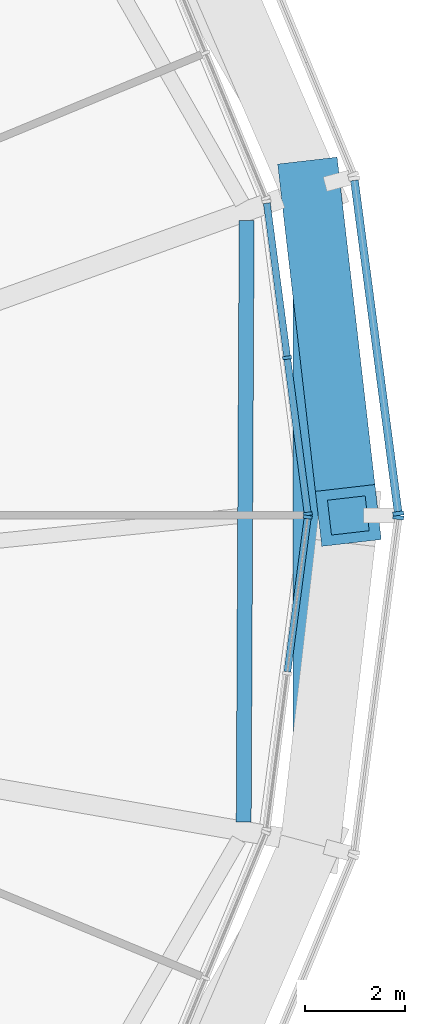
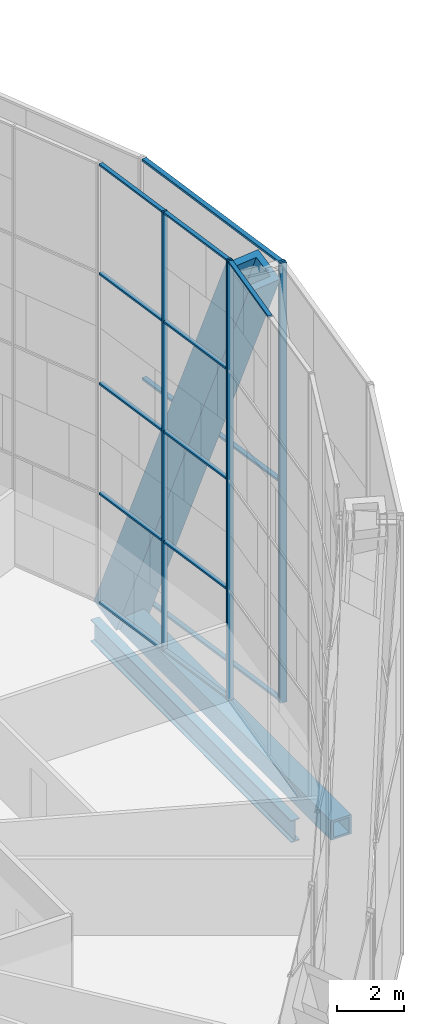
# One storey, part 7 of 28: 20 members, 2 beams, 4 elements without a shape of their own.
"""IFC4 building model written with IfcOpenShell, lengths in metres."""

from ifc_helpers import new_model, si_unit, direction, frame, origin, origin_2d, place, context, subcontext, project, spatial, rectangle, hollow_rectangle, i_section, extrude, material, material_profile, profile_set, type_object, element, aggregate, save


model = new_model("IFC4")

# Units and contexts
model_context = context("Model", 3, precision=1e-05, world=origin(), true_north=direction((0.0, 1.0)))
body_context = subcontext(model_context, "Body", "Model", "MODEL_VIEW")
ifc_project = project(units=[si_unit("LENGTHUNIT", "METRE"), si_unit("AREAUNIT", "SQUARE_METRE"), si_unit("VOLUMEUNIT", "CUBIC_METRE"), si_unit("PLANEANGLEUNIT", "RADIAN"), si_unit("MASSUNIT", "GRAM", prefix="KILO")], contexts=[model_context])

# Site, building, storey
site_placement = place(None, origin())
site = spatial("IfcSite", under=ifc_project, at=site_placement, CompositionType="ELEMENT")
building_placement = place(site_placement, origin())
building = spatial("IfcBuilding", under=site, at=building_placement, Name="Golbaran Civic Tower", CompositionType="ELEMENT")
storey_placement = place(building_placement, frame((0.0, 0.0, 134.0)))
storey = spatial("IfcBuildingStorey", under=building, at=storey_placement, Name="L32", CompositionType="ELEMENT", Elevation=134.0)

# Member
ifc_material_1 = material(Name="Steel S355", Category="steel")
ifc_material_profile_1 = material_profile(ifc_material_1, hollow_rectangle(XDim=1.199951171875, YDim=1.199951171875, WallThickness=0.219970703125, at=origin_2d()), Name="BOX 1200x1200x220")
ifc_profile_set_1 = profile_set([ifc_material_profile_1], Name="Steel S355")
member_type_1 = type_object("IfcMemberType", Name="DIAGRID DIAGONAL BOX 1200x1200x220", PredefinedType="BRACE", material=ifc_profile_set_1)
member_1_placement = place(storey_placement, frame((24.4765625, 6.55859375, -0.7099609375), z_axis=(0.043754138493, -0.37892043084, 0.92439433277), x_axis=(0.993399215237, 0.114708322129, 0.0)))
element("IfcMember", 1, at=member_1_placement, inside=storey, type_object=member_type_1, Name="Diagonal D07-00L L32-L36", PredefinedType="BRACE", context=body_context, shape_type="SweptSolid", body=[
    extrude(hollow_rectangle(XDim=1.199951171875, YDim=1.199951171875, WallThickness=0.219970703125, at=origin_2d()), origin(), (0.0, 0.0, 1.0), 17.30859375),
])

# Beams
ifc_material_profile_2 = material_profile(ifc_material_1, hollow_rectangle(XDim=0.699951171875, YDim=0.699951171875, WallThickness=0.080078125, at=origin_2d()), Name="BOX 700x700x80")
ifc_profile_set_2 = profile_set([ifc_material_profile_2], Name="Steel S355")
beam_type_1 = type_object("IfcBeamType", Name="DIAGRID RING TIE BOX 700x700x80", PredefinedType="BEAM", material=ifc_profile_set_2)
beam_1_placement = place(storey_placement, frame((24.4765625, -6.55859375, -0.7099609375), z_axis=(0.0, 1.0, 0.0), x_axis=(-1.0, 0.0, 0.0)))
element("IfcBeam", 2, at=beam_1_placement, inside=storey, type_object=beam_type_1, Name="Ring tie 345.00 L32", PredefinedType="BEAM", context=body_context, shape_type="SweptSolid", body=[
    extrude(hollow_rectangle(XDim=0.699951171875, YDim=0.699951171875, WallThickness=0.080078125, at=origin_2d()), origin(), (0.0, 0.0, 1.0), 13.1171875),
])
ifc_material_profile_3 = material_profile(ifc_material_1, i_section(OverallWidth=0.300048828125, OverallDepth=0.800048828125, WebThickness=0.017578125, FlangeThickness=0.032958984375, FilletRadius=0.030029296875, at=origin_2d()), Name="HEB 800")
ifc_profile_set_3 = profile_set([ifc_material_profile_3], Name="Steel S355")
beam_type_2 = type_object("IfcBeamType", Name="EDGE BEAM HEB 800", PredefinedType="BEAM", material=ifc_profile_set_3)
beam_2_placement = place(storey_placement, frame((23.1376953125, -6.143798828125, -0.60009765625), z_axis=(0.00490279567, 0.999987981225, 0.0), x_axis=(-0.999987981225, 0.00490279567, 0.0)))
element("IfcBeam", 3, at=beam_2_placement, inside=storey, type_object=beam_type_2, Name="Edge beam 345.00 L32", PredefinedType="BEAM", context=body_context, shape_type="SweptSolid", body=[
    extrude(i_section(OverallWidth=0.300048828125, OverallDepth=0.800048828125, WebThickness=0.017578125, FlangeThickness=0.032958984375, FilletRadius=0.030029296875, at=origin_2d()), origin(), (0.0, 0.0, 1.0), 12.05078125),
])

# Curtain wall, members
ifc_material_2 = material(Name="Aluminium and glass", Category="aluminium")
curtain_wall_type_1 = type_object("IfcCurtainWallType", Name="INNER SKIN CURTAIN WALL", PredefinedType="NOTDEFINED", material=ifc_material_2)
curtain_wall_1_placement = place(storey_placement, origin())
curtain_wall_1 = element("IfcCurtainWall", 4, at=curtain_wall_1_placement, inside=storey, type_object=curtain_wall_type_1, Name="Inner skin L32 facet 1 CW1", ObjectType="INNER SKIN", PredefinedType="USERDEFINED")
ifc_material_3 = material(Name="Aluminium", Category="aluminium")
ifc_material_profile_4 = material_profile(ifc_material_3, rectangle(XDim=0.179931640625, YDim=0.06494140625, at=origin_2d()), Name="INNER SKIN CURTAIN WALL MULLION")
ifc_profile_set_4 = profile_set([ifc_material_profile_4], Name="Aluminium")
member_type_2 = type_object("IfcMemberType", Name="INNER SKIN CURTAIN WALL MULLION", PredefinedType="MULLION", material=ifc_profile_set_4)
member_2_placement = place(storey_placement, frame((24.420654296875, 0.0322265625, 0.0), z_axis=(0.0, 0.0, 1.0), x_axis=(-0.991444861372, -0.130526192237, 0.0)))
member_2 = element("IfcMember", 5, at=member_2_placement, type_object=member_type_2, Name="CW1 mullion 1", PredefinedType="MULLION", context=body_context, shape_type="SweptSolid", body=[
    extrude(rectangle(XDim=0.179931640625, YDim=0.06494140625, at=origin_2d()), origin(), (0.0, 0.0, 1.0), 16.0),
])
member_3_placement = place(storey_placement, frame((24.0087890625, 3.160888671875, 0.0), z_axis=(0.0, 0.0, 1.0), x_axis=(-0.991444861372, -0.130526192237, 0.0)))
member_3 = element("IfcMember", 6, at=member_3_placement, type_object=member_type_2, Name="CW1 mullion 2", PredefinedType="MULLION", context=body_context, shape_type="SweptSolid", body=[
    extrude(rectangle(XDim=0.179931640625, YDim=0.06494140625, at=origin_2d()), origin(), (0.0, 0.0, 1.0), 16.0),
])

# Curtain wall, member
curtain_wall_2_placement = place(storey_placement, origin())
curtain_wall_2 = element("IfcCurtainWall", 7, at=curtain_wall_2_placement, inside=storey, type_object=curtain_wall_type_1, Name="Inner skin L32 facet 24 CW1", ObjectType="INNER SKIN", PredefinedType="USERDEFINED")
member_4_placement = place(storey_placement, frame((24.420654296875, -0.0322265625, 0.0), z_axis=(0.0, 0.0, 1.0), x_axis=(-0.991444861372, 0.130526192237, 0.0)))
member_4 = element("IfcMember", 8, at=member_4_placement, type_object=member_type_2, Name="CW1 mullion 3", PredefinedType="MULLION", context=body_context, shape_type="SweptSolid", body=[
    extrude(rectangle(XDim=0.179931640625, YDim=0.06494140625, at=origin_2d()), origin(), (0.0, 0.0, 1.0), 16.0),
])

# Member
ifc_material_profile_5 = material_profile(ifc_material_3, rectangle(XDim=0.139892578125, YDim=0.06494140625, at=origin_2d()), Name="INNER SKIN CURTAIN WALL TRANSOM")
ifc_profile_set_5 = profile_set([ifc_material_profile_5], Name="Aluminium")
member_type_3 = type_object("IfcMemberType", Name="INNER SKIN CURTAIN WALL TRANSOM", PredefinedType="USERDEFINED", material=ifc_profile_set_5)
member_5_placement = place(storey_placement, frame((24.41650390625, 0.064453125, 0.032470703125), z_axis=(-0.13049742388, 0.991448648373, 0.0), x_axis=(-0.991448648373, -0.13049742388, 0.0)))
member_5 = element("IfcMember", 9, at=member_5_placement, type_object=member_type_3, Name="CW1 transom 1.1", ObjectType="TRANSOM", PredefinedType="USERDEFINED", context=body_context, shape_type="SweptSolid", body=[
    extrude(rectangle(XDim=0.139892578125, YDim=0.06494140625, at=origin_2d()), origin(), (0.0, 0.0, 1.0), 3.090576171875),
])

member_6_placement = place(storey_placement, frame((24.41650390625, 0.064453125, 4.0), z_axis=(-0.13049742388, 0.991448648373, 0.0), x_axis=(-0.991448648373, -0.13049742388, 0.0)))
member_6 = element("IfcMember", 10, at=member_6_placement, type_object=member_type_3, Name="CW1 transom 1.2", ObjectType="TRANSOM", PredefinedType="USERDEFINED", context=body_context, shape_type="SweptSolid", body=[
    extrude(rectangle(XDim=0.139892578125, YDim=0.06494140625, at=origin_2d()), origin(), (0.0, 0.0, 1.0), 3.090576171875),
])

member_7_placement = place(storey_placement, frame((24.41650390625, 0.064453125, 8.0), z_axis=(-0.13049742388, 0.991448648373, 0.0), x_axis=(-0.991448648373, -0.13049742388, 0.0)))
member_7 = element("IfcMember", 11, at=member_7_placement, type_object=member_type_3, Name="CW1 transom 1.3", ObjectType="TRANSOM", PredefinedType="USERDEFINED", context=body_context, shape_type="SweptSolid", body=[
    extrude(rectangle(XDim=0.139892578125, YDim=0.06494140625, at=origin_2d()), origin(), (0.0, 0.0, 1.0), 3.090576171875),
])

member_8_placement = place(storey_placement, frame((24.41650390625, 0.064453125, 12.0), z_axis=(-0.13049742388, 0.991448648373, 0.0), x_axis=(-0.991448648373, -0.13049742388, 0.0)))
member_8 = element("IfcMember", 12, at=member_8_placement, type_object=member_type_3, Name="CW1 transom 1.4", ObjectType="TRANSOM", PredefinedType="USERDEFINED", context=body_context, shape_type="SweptSolid", body=[
    extrude(rectangle(XDim=0.139892578125, YDim=0.06494140625, at=origin_2d()), origin(), (0.0, 0.0, 1.0), 3.090576171875),
])

member_9_placement = place(storey_placement, frame((24.41650390625, 0.064453125, 15.967529296875), z_axis=(-0.13049742388, 0.991448648373, 0.0), x_axis=(-0.991448648373, -0.13049742388, 0.0)))
member_9 = element("IfcMember", 13, at=member_9_placement, type_object=member_type_3, Name="CW1 transom 1.5", ObjectType="TRANSOM", PredefinedType="USERDEFINED", context=body_context, shape_type="SweptSolid", body=[
    extrude(rectangle(XDim=0.139892578125, YDim=0.06494140625, at=origin_2d()), origin(), (0.0, 0.0, 1.0), 3.090576171875),
])

member_10_placement = place(storey_placement, frame((24.004638671875, 3.193115234375, 0.032470703125), z_axis=(-0.13049742388, 0.991448648373, 0.0), x_axis=(-0.991448648373, -0.13049742388, 0.0)))
member_10 = element("IfcMember", 14, at=member_10_placement, type_object=member_type_3, Name="CW1 transom 2.1", ObjectType="TRANSOM", PredefinedType="USERDEFINED", context=body_context, shape_type="SweptSolid", body=[
    extrude(rectangle(XDim=0.139892578125, YDim=0.06494140625, at=origin_2d()), origin(), (0.0, 0.0, 1.0), 3.090576171875),
])

member_11_placement = place(storey_placement, frame((24.004638671875, 3.193115234375, 4.0), z_axis=(-0.13049742388, 0.991448648373, 0.0), x_axis=(-0.991448648373, -0.13049742388, 0.0)))
member_11 = element("IfcMember", 15, at=member_11_placement, type_object=member_type_3, Name="CW1 transom 2.2", ObjectType="TRANSOM", PredefinedType="USERDEFINED", context=body_context, shape_type="SweptSolid", body=[
    extrude(rectangle(XDim=0.139892578125, YDim=0.06494140625, at=origin_2d()), origin(), (0.0, 0.0, 1.0), 3.090576171875),
])

member_12_placement = place(storey_placement, frame((24.004638671875, 3.193115234375, 8.0), z_axis=(-0.13049742388, 0.991448648373, 0.0), x_axis=(-0.991448648373, -0.13049742388, 0.0)))
member_12 = element("IfcMember", 16, at=member_12_placement, type_object=member_type_3, Name="CW1 transom 2.3", ObjectType="TRANSOM", PredefinedType="USERDEFINED", context=body_context, shape_type="SweptSolid", body=[
    extrude(rectangle(XDim=0.139892578125, YDim=0.06494140625, at=origin_2d()), origin(), (0.0, 0.0, 1.0), 3.090576171875),
])

member_13_placement = place(storey_placement, frame((24.004638671875, 3.193115234375, 12.0), z_axis=(-0.13049742388, 0.991448648373, 0.0), x_axis=(-0.991448648373, -0.13049742388, 0.0)))
member_13 = element("IfcMember", 17, at=member_13_placement, type_object=member_type_3, Name="CW1 transom 2.4", ObjectType="TRANSOM", PredefinedType="USERDEFINED", context=body_context, shape_type="SweptSolid", body=[
    extrude(rectangle(XDim=0.139892578125, YDim=0.06494140625, at=origin_2d()), origin(), (0.0, 0.0, 1.0), 3.090576171875),
])

member_14_placement = place(storey_placement, frame((24.004638671875, 3.193115234375, 15.967529296875), z_axis=(-0.13049742388, 0.991448648373, 0.0), x_axis=(-0.991448648373, -0.13049742388, 0.0)))
member_14 = element("IfcMember", 18, at=member_14_placement, type_object=member_type_3, Name="CW1 transom 2.5", ObjectType="TRANSOM", PredefinedType="USERDEFINED", context=body_context, shape_type="SweptSolid", body=[
    extrude(rectangle(XDim=0.139892578125, YDim=0.06494140625, at=origin_2d()), origin(), (0.0, 0.0, 1.0), 3.090576171875),
])

aggregate(curtain_wall_1, [member_2, member_3, member_5, member_6, member_7, member_8, member_9, member_10, member_11, member_12, member_13, member_14])

member_15_placement = place(storey_placement, frame((24.01318359375, -3.128662109375, 15.967529296875), z_axis=(0.13049742388, 0.991448648373, 0.0), x_axis=(-0.991448648373, 0.13049742388, 0.0)))
member_15 = element("IfcMember", 19, at=member_15_placement, type_object=member_type_3, Name="CW1 transom 2.5", ObjectType="TRANSOM", PredefinedType="USERDEFINED", context=body_context, shape_type="SweptSolid", body=[
    extrude(rectangle(XDim=0.139892578125, YDim=0.06494140625, at=origin_2d()), origin(), (0.0, 0.0, 1.0), 3.090576171875),
])

aggregate(curtain_wall_2, [member_4, member_15])

# Curtain wall, member
curtain_wall_type_2 = type_object("IfcCurtainWallType", Name="OUTER SKIN TERRACOTTA SCREEN", PredefinedType="NOTDEFINED", material=ifc_material_2)
curtain_wall_3_placement = place(storey_placement, origin())
curtain_wall_3 = element("IfcCurtainWall", 20, at=curtain_wall_3_placement, inside=storey, type_object=curtain_wall_type_2, Name="Outer skin L32 facet 1 CW3", ObjectType="OUTER SKIN", PredefinedType="USERDEFINED")
ifc_material_profile_6 = material_profile(ifc_material_3, rectangle(XDim=0.219970703125, YDim=0.080078125, at=origin_2d()), Name="OUTER SKIN TERRACOTTA SCREEN MULLION")
ifc_profile_set_6 = profile_set([ifc_material_profile_6], Name="Aluminium")
member_type_4 = type_object("IfcMemberType", Name="OUTER SKIN TERRACOTTA SCREEN MULLION", PredefinedType="MULLION", material=ifc_profile_set_6)
member_16_placement = place(storey_placement, frame((26.23486328125, 0.03955078125, -0.7099609375), z_axis=(0.0, 0.0, 1.0), x_axis=(-0.991444861376, -0.130526192203, 0.0)))
member_16 = element("IfcMember", 21, at=member_16_placement, type_object=member_type_4, Name="CW3 mullion 1", PredefinedType="MULLION", context=body_context, shape_type="SweptSolid", body=[
    extrude(rectangle(XDim=0.219970703125, YDim=0.080078125, at=origin_2d()), origin(), (0.0, 0.0, 1.0), 16.0),
])

curtain_wall_4_placement = place(storey_placement, origin())
curtain_wall_4 = element("IfcCurtainWall", 22, at=curtain_wall_4_placement, inside=storey, type_object=curtain_wall_type_2, Name="Outer skin L32 facet 24 CW3", ObjectType="OUTER SKIN", PredefinedType="USERDEFINED")
member_17_placement = place(storey_placement, frame((26.23486328125, -0.03955078125, -0.7099609375), z_axis=(0.0, 0.0, 1.0), x_axis=(-0.991444861376, 0.130526192203, 0.0)))
member_17 = element("IfcMember", 23, at=member_17_placement, type_object=member_type_4, Name="CW3 mullion 2", PredefinedType="MULLION", context=body_context, shape_type="SweptSolid", body=[
    extrude(rectangle(XDim=0.219970703125, YDim=0.080078125, at=origin_2d()), origin(), (0.0, 0.0, 1.0), 16.0),
])
aggregate(curtain_wall_4, [member_17])

# Member
ifc_material_profile_7 = material_profile(ifc_material_3, rectangle(XDim=0.159912109375, YDim=0.080078125, at=origin_2d()), Name="OUTER SKIN TERRACOTTA SCREEN TRANSOM")
ifc_profile_set_7 = profile_set([ifc_material_profile_7], Name="Aluminium")
member_type_5 = type_object("IfcMemberType", Name="OUTER SKIN TERRACOTTA SCREEN TRANSOM", PredefinedType="USERDEFINED", material=ifc_profile_set_7)
member_18_placement = place(storey_placement, frame((26.2294921875, 0.079345703125, -0.669921875), z_axis=(-0.130499824667, 0.991448332371, 0.0), x_axis=(-0.991448332371, -0.130499824667, 0.0)))
member_18 = element("IfcMember", 24, at=member_18_placement, type_object=member_type_5, Name="CW3 transom 1.1", ObjectType="TRANSOM", PredefinedType="USERDEFINED", context=body_context, shape_type="SweptSolid", body=[
    extrude(rectangle(XDim=0.159912109375, YDim=0.080078125, at=origin_2d()), origin(), (0.0, 0.0, 1.0), 6.68994140625),
])

member_19_placement = place(storey_placement, frame((26.2294921875, 0.079345703125, 7.2900390625), z_axis=(-0.130499824667, 0.991448332371, 0.0), x_axis=(-0.991448332371, -0.130499824667, 0.0)))
member_19 = element("IfcMember", 25, at=member_19_placement, type_object=member_type_5, Name="CW3 transom 1.2", ObjectType="TRANSOM", PredefinedType="USERDEFINED", context=body_context, shape_type="SweptSolid", body=[
    extrude(rectangle(XDim=0.159912109375, YDim=0.080078125, at=origin_2d()), origin(), (0.0, 0.0, 1.0), 6.68994140625),
])

member_20_placement = place(storey_placement, frame((26.2294921875, 0.079345703125, 15.25), z_axis=(-0.130499824667, 0.991448332371, 0.0), x_axis=(-0.991448332371, -0.130499824667, 0.0)))
member_20 = element("IfcMember", 26, at=member_20_placement, type_object=member_type_5, Name="CW3 transom 1.3", ObjectType="TRANSOM", PredefinedType="USERDEFINED", context=body_context, shape_type="SweptSolid", body=[
    extrude(rectangle(XDim=0.159912109375, YDim=0.080078125, at=origin_2d()), origin(), (0.0, 0.0, 1.0), 6.68994140625),
])

aggregate(curtain_wall_3, [member_16, member_18, member_19, member_20])

save(model, "model.ifc")
